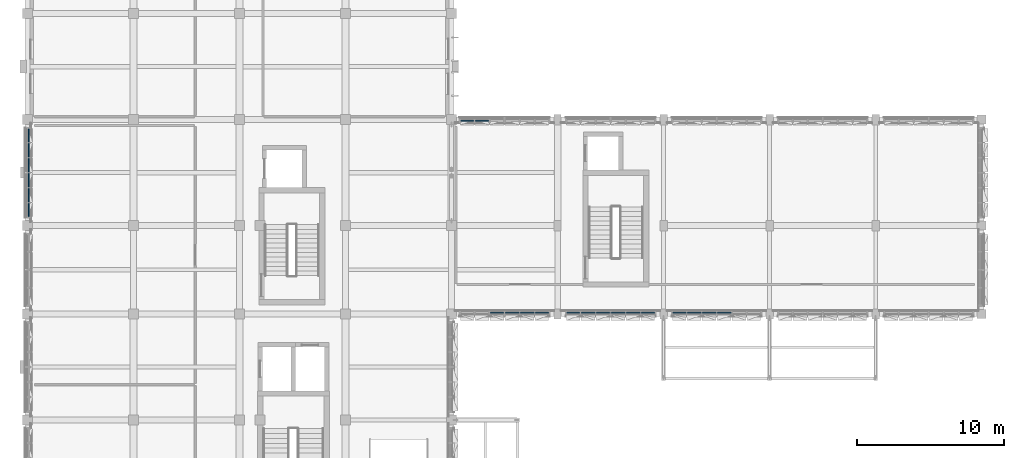
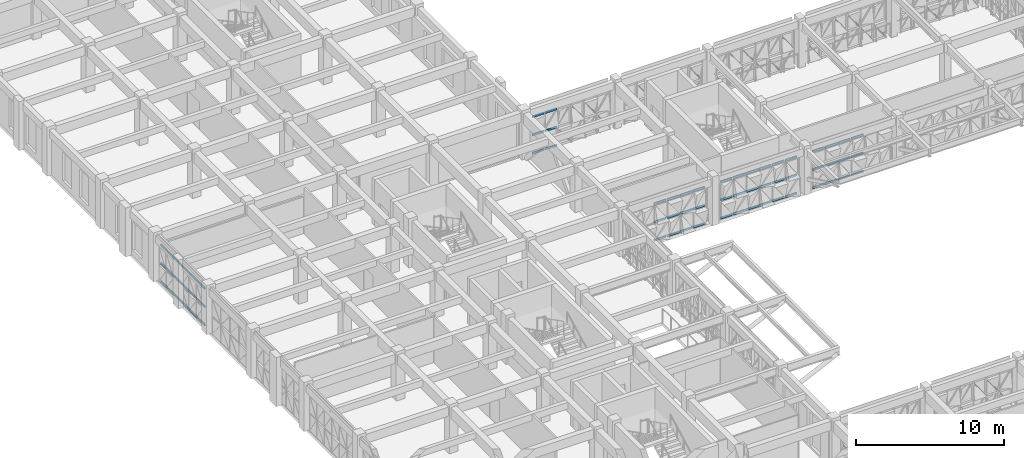
# One storey, part 24 of 88: 66 members, 5 elements without a shape of their own.
"""IFC4 building model written with IfcOpenShell, lengths in metres."""

from ifc_helpers import new_model, si_unit, direction, frame, origin, origin_2d, place, context, subcontext, project, spatial, rectangle, extrude, material, material_profile, profile_set, type_object, element, aggregate, save


model = new_model("IFC4")

# Units and contexts
model_context = context("Model", 3, precision=1e-05, world=origin(), true_north=direction((0.0, 1.0)))
body_context = subcontext(model_context, "Body", "Model", "MODEL_VIEW")
ifc_project = project(units=[si_unit("LENGTHUNIT", "METRE"), si_unit("AREAUNIT", "SQUARE_METRE"), si_unit("VOLUMEUNIT", "CUBIC_METRE"), si_unit("PLANEANGLEUNIT", "RADIAN"), si_unit("MASSUNIT", "GRAM", prefix="KILO")], contexts=[model_context])

# Site, building, storey
site_placement = place(None, origin())
site = spatial("IfcSite", under=ifc_project, at=site_placement, CompositionType="ELEMENT")
building_placement = place(site_placement, origin())
building = spatial("IfcBuilding", under=site, at=building_placement, Name="Alvorim Cloister Faculty of Sciences", CompositionType="ELEMENT")
storey_placement = place(building_placement, frame((0.0, 0.0, 4.5)))
storey = spatial("IfcBuildingStorey", under=building, at=storey_placement, Name="L01", CompositionType="ELEMENT", Elevation=4.5)

# Curtain wall, members
ifc_material_1 = material(Name="Aluminium and Low-E Glass Curtain Wall", Category="aluminium")
curtain_wall_type = type_object("IfcCurtainWallType", Name="CW-TRI-6120x3170", PredefinedType="USERDEFINED", material=ifc_material_1)
curtain_wall_1_placement = place(storey_placement, origin())
curtain_wall_1 = element("IfcCurtainWall", 1, at=curtain_wall_1_placement, inside=storey, type_object=curtain_wall_type, Name="L01 Diagonal Cassette Curtain Wall CW-0011", ObjectType="UNITISED CURTAIN WALL", PredefinedType="USERDEFINED")
ifc_material_2 = material(Name="Aluminium Alloy 6063-T6", Category="aluminium")
ifc_material_profile = material_profile(ifc_material_2, rectangle(XDim=0.074951171875, YDim=0.159912109375, at=origin_2d()), Name="ALU-TRN-75x160")
ifc_profile_set = profile_set([ifc_material_profile], Name="Aluminium Alloy 6063-T6")
member_type = type_object("IfcMemberType", Name="CW-TRN-75x160", PredefinedType="USERDEFINED", material=ifc_profile_set)
member_1_placement = place(storey_placement, frame((0.090087890625, 49.81494140625, 0.080078125), z_axis=(0.0, 1.0, 0.0), x_axis=(-1.0, 0.0, 0.0)))
member_1 = element("IfcMember", 2, at=member_1_placement, type_object=member_type, Name="CW-0011 Transom 1.1", ObjectType="TRANSOM", PredefinedType="USERDEFINED", context=body_context, shape_type="SweptSolid", body=[
    extrude(rectangle(XDim=0.074951171875, YDim=0.159912109375, at=origin_2d()), origin(), (0.0, 0.0, 1.0), 0.907470703125),
])
member_2_placement = place(storey_placement, frame((0.090087890625, 49.81494140625, 1.5849609375), z_axis=(0.0, 1.0, 0.0), x_axis=(-1.0, 0.0, 0.0)))
member_2 = element("IfcMember", 3, at=member_2_placement, type_object=member_type, Name="CW-0011 Transom 1.2", ObjectType="TRANSOM", PredefinedType="USERDEFINED", context=body_context, shape_type="SweptSolid", body=[
    extrude(rectangle(XDim=0.074951171875, YDim=0.159912109375, at=origin_2d()), origin(), (0.0, 0.0, 1.0), 0.907470703125),
])
member_3_placement = place(storey_placement, frame((0.090087890625, 49.81494140625, 3.090087890625), z_axis=(0.0, 1.0, 0.0), x_axis=(-1.0, 0.0, 0.0)))
member_3 = element("IfcMember", 4, at=member_3_placement, type_object=member_type, Name="CW-0011 Transom 1.3", ObjectType="TRANSOM", PredefinedType="USERDEFINED", context=body_context, shape_type="SweptSolid", body=[
    extrude(rectangle(XDim=0.074951171875, YDim=0.159912109375, at=origin_2d()), origin(), (0.0, 0.0, 1.0), 0.907470703125),
])
member_4_placement = place(storey_placement, frame((0.090087890625, 50.797607421875, 0.080078125), z_axis=(0.0, 1.0, 0.0), x_axis=(-1.0, 0.0, 0.0)))
member_4 = element("IfcMember", 5, at=member_4_placement, type_object=member_type, Name="CW-0011 Transom 2.1", ObjectType="TRANSOM", PredefinedType="USERDEFINED", context=body_context, shape_type="SweptSolid", body=[
    extrude(rectangle(XDim=0.074951171875, YDim=0.159912109375, at=origin_2d()), origin(), (0.0, 0.0, 1.0), 0.94482421875),
])
member_5_placement = place(storey_placement, frame((0.090087890625, 50.797607421875, 1.5849609375), z_axis=(0.0, 1.0, 0.0), x_axis=(-1.0, 0.0, 0.0)))
member_5 = element("IfcMember", 6, at=member_5_placement, type_object=member_type, Name="CW-0011 Transom 2.2", ObjectType="TRANSOM", PredefinedType="USERDEFINED", context=body_context, shape_type="SweptSolid", body=[
    extrude(rectangle(XDim=0.074951171875, YDim=0.159912109375, at=origin_2d()), origin(), (0.0, 0.0, 1.0), 0.94482421875),
])
member_6_placement = place(storey_placement, frame((0.090087890625, 50.797607421875, 3.090087890625), z_axis=(0.0, 1.0, 0.0), x_axis=(-1.0, 0.0, 0.0)))
member_6 = element("IfcMember", 7, at=member_6_placement, type_object=member_type, Name="CW-0011 Transom 2.3", ObjectType="TRANSOM", PredefinedType="USERDEFINED", context=body_context, shape_type="SweptSolid", body=[
    extrude(rectangle(XDim=0.074951171875, YDim=0.159912109375, at=origin_2d()), origin(), (0.0, 0.0, 1.0), 0.94482421875),
])
member_7_placement = place(storey_placement, frame((0.090087890625, 51.8173828125, 0.080078125), z_axis=(0.0, 1.0, 0.0), x_axis=(-1.0, 0.0, 0.0)))
member_7 = element("IfcMember", 8, at=member_7_placement, type_object=member_type, Name="CW-0011 Transom 3.1", ObjectType="TRANSOM", PredefinedType="USERDEFINED", context=body_context, shape_type="SweptSolid", body=[
    extrude(rectangle(XDim=0.074951171875, YDim=0.159912109375, at=origin_2d()), origin(), (0.0, 0.0, 1.0), 0.945068359375),
])
member_8_placement = place(storey_placement, frame((0.090087890625, 51.8173828125, 1.5849609375), z_axis=(0.0, 1.0, 0.0), x_axis=(-1.0, 0.0, 0.0)))
member_8 = element("IfcMember", 9, at=member_8_placement, type_object=member_type, Name="CW-0011 Transom 3.2", ObjectType="TRANSOM", PredefinedType="USERDEFINED", context=body_context, shape_type="SweptSolid", body=[
    extrude(rectangle(XDim=0.074951171875, YDim=0.159912109375, at=origin_2d()), origin(), (0.0, 0.0, 1.0), 0.945068359375),
])
member_9_placement = place(storey_placement, frame((0.090087890625, 51.8173828125, 3.090087890625), z_axis=(0.0, 1.0, 0.0), x_axis=(-1.0, 0.0, 0.0)))
member_9 = element("IfcMember", 10, at=member_9_placement, type_object=member_type, Name="CW-0011 Transom 3.3", ObjectType="TRANSOM", PredefinedType="USERDEFINED", context=body_context, shape_type="SweptSolid", body=[
    extrude(rectangle(XDim=0.074951171875, YDim=0.159912109375, at=origin_2d()), origin(), (0.0, 0.0, 1.0), 0.945068359375),
])
member_10_placement = place(storey_placement, frame((0.090087890625, 52.83740234375, 0.080078125), z_axis=(0.0, 1.0, 0.0), x_axis=(-1.0, 0.0, 0.0)))
member_10 = element("IfcMember", 11, at=member_10_placement, type_object=member_type, Name="CW-0011 Transom 4.1", ObjectType="TRANSOM", PredefinedType="USERDEFINED", context=body_context, shape_type="SweptSolid", body=[
    extrude(rectangle(XDim=0.074951171875, YDim=0.159912109375, at=origin_2d()), origin(), (0.0, 0.0, 1.0), 0.945068359375),
])
member_11_placement = place(storey_placement, frame((0.090087890625, 52.83740234375, 1.5849609375), z_axis=(0.0, 1.0, 0.0), x_axis=(-1.0, 0.0, 0.0)))
member_11 = element("IfcMember", 12, at=member_11_placement, type_object=member_type, Name="CW-0011 Transom 4.2", ObjectType="TRANSOM", PredefinedType="USERDEFINED", context=body_context, shape_type="SweptSolid", body=[
    extrude(rectangle(XDim=0.074951171875, YDim=0.159912109375, at=origin_2d()), origin(), (0.0, 0.0, 1.0), 0.945068359375),
])
member_12_placement = place(storey_placement, frame((0.090087890625, 52.83740234375, 3.090087890625), z_axis=(0.0, 1.0, 0.0), x_axis=(-1.0, 0.0, 0.0)))
member_12 = element("IfcMember", 13, at=member_12_placement, type_object=member_type, Name="CW-0011 Transom 4.3", ObjectType="TRANSOM", PredefinedType="USERDEFINED", context=body_context, shape_type="SweptSolid", body=[
    extrude(rectangle(XDim=0.074951171875, YDim=0.159912109375, at=origin_2d()), origin(), (0.0, 0.0, 1.0), 0.945068359375),
])
member_13_placement = place(storey_placement, frame((0.090087890625, 53.857421875, 0.080078125), z_axis=(0.0, 1.0, 0.0), x_axis=(-1.0, 0.0, 0.0)))
member_13 = element("IfcMember", 14, at=member_13_placement, type_object=member_type, Name="CW-0011 Transom 5.1", ObjectType="TRANSOM", PredefinedType="USERDEFINED", context=body_context, shape_type="SweptSolid", body=[
    extrude(rectangle(XDim=0.074951171875, YDim=0.159912109375, at=origin_2d()), origin(), (0.0, 0.0, 1.0), 0.945068359375),
])
member_14_placement = place(storey_placement, frame((0.090087890625, 53.857421875, 1.5849609375), z_axis=(0.0, 1.0, 0.0), x_axis=(-1.0, 0.0, 0.0)))
member_14 = element("IfcMember", 15, at=member_14_placement, type_object=member_type, Name="CW-0011 Transom 5.2", ObjectType="TRANSOM", PredefinedType="USERDEFINED", context=body_context, shape_type="SweptSolid", body=[
    extrude(rectangle(XDim=0.074951171875, YDim=0.159912109375, at=origin_2d()), origin(), (0.0, 0.0, 1.0), 0.945068359375),
])
member_15_placement = place(storey_placement, frame((0.090087890625, 53.857421875, 3.090087890625), z_axis=(0.0, 1.0, 0.0), x_axis=(-1.0, 0.0, 0.0)))
member_15 = element("IfcMember", 16, at=member_15_placement, type_object=member_type, Name="CW-0011 Transom 5.3", ObjectType="TRANSOM", PredefinedType="USERDEFINED", context=body_context, shape_type="SweptSolid", body=[
    extrude(rectangle(XDim=0.074951171875, YDim=0.159912109375, at=origin_2d()), origin(), (0.0, 0.0, 1.0), 0.945068359375),
])
member_16_placement = place(storey_placement, frame((0.090087890625, 54.87744140625, 0.080078125), z_axis=(0.0, 1.0, 0.0), x_axis=(-1.0, 0.0, 0.0)))
member_16 = element("IfcMember", 17, at=member_16_placement, type_object=member_type, Name="CW-0011 Transom 6.1", ObjectType="TRANSOM", PredefinedType="USERDEFINED", context=body_context, shape_type="SweptSolid", body=[
    extrude(rectangle(XDim=0.074951171875, YDim=0.159912109375, at=origin_2d()), origin(), (0.0, 0.0, 1.0), 0.907470703125),
])
member_17_placement = place(storey_placement, frame((0.090087890625, 54.87744140625, 1.5849609375), z_axis=(0.0, 1.0, 0.0), x_axis=(-1.0, 0.0, 0.0)))
member_17 = element("IfcMember", 18, at=member_17_placement, type_object=member_type, Name="CW-0011 Transom 6.2", ObjectType="TRANSOM", PredefinedType="USERDEFINED", context=body_context, shape_type="SweptSolid", body=[
    extrude(rectangle(XDim=0.074951171875, YDim=0.159912109375, at=origin_2d()), origin(), (0.0, 0.0, 1.0), 0.907470703125),
])
member_18_placement = place(storey_placement, frame((0.090087890625, 54.87744140625, 3.090087890625), z_axis=(0.0, 1.0, 0.0), x_axis=(-1.0, 0.0, 0.0)))
member_18 = element("IfcMember", 19, at=member_18_placement, type_object=member_type, Name="CW-0011 Transom 6.3", ObjectType="TRANSOM", PredefinedType="USERDEFINED", context=body_context, shape_type="SweptSolid", body=[
    extrude(rectangle(XDim=0.074951171875, YDim=0.159912109375, at=origin_2d()), origin(), (0.0, 0.0, 1.0), 0.907470703125),
])
aggregate(curtain_wall_1, [member_1, member_2, member_3, member_4, member_5, member_6, member_7, member_8, member_9, member_10, member_11, member_12, member_13, member_14, member_15, member_16, member_17, member_18])

curtain_wall_2_placement = place(storey_placement, origin())
curtain_wall_2 = element("IfcCurtainWall", 20, at=curtain_wall_2_placement, inside=storey, type_object=curtain_wall_type, Name="L01 Diagonal Cassette Curtain Wall CW-0012", ObjectType="UNITISED CURTAIN WALL", PredefinedType="USERDEFINED")
member_19_placement = place(storey_placement, frame((29.4150390625, 56.31005859375, 0.080078125), z_axis=(1.0, 0.0, 0.0), x_axis=(0.0, 1.0, 0.0)))
member_19 = element("IfcMember", 21, at=member_19_placement, type_object=member_type, Name="CW-0012 Transom 1.1", ObjectType="TRANSOM", PredefinedType="USERDEFINED", context=body_context, shape_type="SweptSolid", body=[
    extrude(rectangle(XDim=0.074951171875, YDim=0.159912109375, at=origin_2d()), origin(), (0.0, 0.0, 1.0), 0.907470703125),
])
member_20_placement = place(storey_placement, frame((29.4150390625, 56.31005859375, 1.5849609375), z_axis=(1.0, 0.0, 0.0), x_axis=(0.0, 1.0, 0.0)))
member_20 = element("IfcMember", 22, at=member_20_placement, type_object=member_type, Name="CW-0012 Transom 1.2", ObjectType="TRANSOM", PredefinedType="USERDEFINED", context=body_context, shape_type="SweptSolid", body=[
    extrude(rectangle(XDim=0.074951171875, YDim=0.159912109375, at=origin_2d()), origin(), (0.0, 0.0, 1.0), 0.907470703125),
])
member_21_placement = place(storey_placement, frame((29.4150390625, 56.31005859375, 3.090087890625), z_axis=(1.0, 0.0, 0.0), x_axis=(0.0, 1.0, 0.0)))
member_21 = element("IfcMember", 23, at=member_21_placement, type_object=member_type, Name="CW-0012 Transom 1.3", ObjectType="TRANSOM", PredefinedType="USERDEFINED", context=body_context, shape_type="SweptSolid", body=[
    extrude(rectangle(XDim=0.074951171875, YDim=0.159912109375, at=origin_2d()), origin(), (0.0, 0.0, 1.0), 0.907470703125),
])
member_22_placement = place(storey_placement, frame((30.3974609375, 56.31005859375, 0.080078125), z_axis=(1.0, 0.0, 0.0), x_axis=(0.0, 1.0, 0.0)))
member_22 = element("IfcMember", 24, at=member_22_placement, type_object=member_type, Name="CW-0012 Transom 2.1", ObjectType="TRANSOM", PredefinedType="USERDEFINED", context=body_context, shape_type="SweptSolid", body=[
    extrude(rectangle(XDim=0.074951171875, YDim=0.159912109375, at=origin_2d()), origin(), (0.0, 0.0, 1.0), 0.945068359375),
])
member_23_placement = place(storey_placement, frame((30.3974609375, 56.31005859375, 1.5849609375), z_axis=(1.0, 0.0, 0.0), x_axis=(0.0, 1.0, 0.0)))
member_23 = element("IfcMember", 25, at=member_23_placement, type_object=member_type, Name="CW-0012 Transom 2.2", ObjectType="TRANSOM", PredefinedType="USERDEFINED", context=body_context, shape_type="SweptSolid", body=[
    extrude(rectangle(XDim=0.074951171875, YDim=0.159912109375, at=origin_2d()), origin(), (0.0, 0.0, 1.0), 0.945068359375),
])
member_24_placement = place(storey_placement, frame((30.3974609375, 56.31005859375, 3.090087890625), z_axis=(1.0, 0.0, 0.0), x_axis=(0.0, 1.0, 0.0)))
member_24 = element("IfcMember", 26, at=member_24_placement, type_object=member_type, Name="CW-0012 Transom 2.3", ObjectType="TRANSOM", PredefinedType="USERDEFINED", context=body_context, shape_type="SweptSolid", body=[
    extrude(rectangle(XDim=0.074951171875, YDim=0.159912109375, at=origin_2d()), origin(), (0.0, 0.0, 1.0), 0.945068359375),
])
aggregate(curtain_wall_2, [member_19, member_20, member_21, member_22, member_23, member_24])

curtain_wall_3_placement = place(storey_placement, origin())
curtain_wall_3 = element("IfcCurtainWall", 27, at=curtain_wall_3_placement, inside=storey, type_object=curtain_wall_type, Name="L01 Diagonal Cassette Curtain Wall CW-0021", ObjectType="UNITISED CURTAIN WALL", PredefinedType="USERDEFINED")
member_25_placement = place(storey_placement, frame((43.81494140625, 43.2900390625, 0.080078125), z_axis=(1.0, 0.0, 0.0), x_axis=(0.0, 1.0, 0.0)))
member_25 = element("IfcMember", 28, at=member_25_placement, type_object=member_type, Name="CW-0021 Transom 1.1", ObjectType="TRANSOM", PredefinedType="USERDEFINED", context=body_context, shape_type="SweptSolid", body=[
    extrude(rectangle(XDim=0.074951171875, YDim=0.159912109375, at=origin_2d()), origin(), (0.0, 0.0, 1.0), 0.907470703125),
])
member_26_placement = place(storey_placement, frame((43.81494140625, 43.2900390625, 1.5849609375), z_axis=(1.0, 0.0, 0.0), x_axis=(0.0, 1.0, 0.0)))
member_26 = element("IfcMember", 29, at=member_26_placement, type_object=member_type, Name="CW-0021 Transom 1.2", ObjectType="TRANSOM", PredefinedType="USERDEFINED", context=body_context, shape_type="SweptSolid", body=[
    extrude(rectangle(XDim=0.074951171875, YDim=0.159912109375, at=origin_2d()), origin(), (0.0, 0.0, 1.0), 0.907470703125),
])
member_27_placement = place(storey_placement, frame((43.81494140625, 43.2900390625, 3.090087890625), z_axis=(1.0, 0.0, 0.0), x_axis=(0.0, 1.0, 0.0)))
member_27 = element("IfcMember", 30, at=member_27_placement, type_object=member_type, Name="CW-0021 Transom 1.3", ObjectType="TRANSOM", PredefinedType="USERDEFINED", context=body_context, shape_type="SweptSolid", body=[
    extrude(rectangle(XDim=0.074951171875, YDim=0.159912109375, at=origin_2d()), origin(), (0.0, 0.0, 1.0), 0.907470703125),
])
member_28_placement = place(storey_placement, frame((44.797607421875, 43.2900390625, 0.080078125), z_axis=(1.0, 0.0, 0.0), x_axis=(0.0, 1.0, 0.0)))
member_28 = element("IfcMember", 31, at=member_28_placement, type_object=member_type, Name="CW-0021 Transom 2.1", ObjectType="TRANSOM", PredefinedType="USERDEFINED", context=body_context, shape_type="SweptSolid", body=[
    extrude(rectangle(XDim=0.074951171875, YDim=0.159912109375, at=origin_2d()), origin(), (0.0, 0.0, 1.0), 0.94482421875),
])
member_29_placement = place(storey_placement, frame((44.797607421875, 43.2900390625, 1.5849609375), z_axis=(1.0, 0.0, 0.0), x_axis=(0.0, 1.0, 0.0)))
member_29 = element("IfcMember", 32, at=member_29_placement, type_object=member_type, Name="CW-0021 Transom 2.2", ObjectType="TRANSOM", PredefinedType="USERDEFINED", context=body_context, shape_type="SweptSolid", body=[
    extrude(rectangle(XDim=0.074951171875, YDim=0.159912109375, at=origin_2d()), origin(), (0.0, 0.0, 1.0), 0.94482421875),
])
member_30_placement = place(storey_placement, frame((44.797607421875, 43.2900390625, 3.090087890625), z_axis=(1.0, 0.0, 0.0), x_axis=(0.0, 1.0, 0.0)))
member_30 = element("IfcMember", 33, at=member_30_placement, type_object=member_type, Name="CW-0021 Transom 2.3", ObjectType="TRANSOM", PredefinedType="USERDEFINED", context=body_context, shape_type="SweptSolid", body=[
    extrude(rectangle(XDim=0.074951171875, YDim=0.159912109375, at=origin_2d()), origin(), (0.0, 0.0, 1.0), 0.94482421875),
])
member_31_placement = place(storey_placement, frame((45.8173828125, 43.2900390625, 0.080078125), z_axis=(1.0, 0.0, 0.0), x_axis=(0.0, 1.0, 0.0)))
member_31 = element("IfcMember", 34, at=member_31_placement, type_object=member_type, Name="CW-0021 Transom 3.1", ObjectType="TRANSOM", PredefinedType="USERDEFINED", context=body_context, shape_type="SweptSolid", body=[
    extrude(rectangle(XDim=0.074951171875, YDim=0.159912109375, at=origin_2d()), origin(), (0.0, 0.0, 1.0), 0.945068359375),
])
member_32_placement = place(storey_placement, frame((45.8173828125, 43.2900390625, 1.5849609375), z_axis=(1.0, 0.0, 0.0), x_axis=(0.0, 1.0, 0.0)))
member_32 = element("IfcMember", 35, at=member_32_placement, type_object=member_type, Name="CW-0021 Transom 3.2", ObjectType="TRANSOM", PredefinedType="USERDEFINED", context=body_context, shape_type="SweptSolid", body=[
    extrude(rectangle(XDim=0.074951171875, YDim=0.159912109375, at=origin_2d()), origin(), (0.0, 0.0, 1.0), 0.945068359375),
])
member_33_placement = place(storey_placement, frame((45.8173828125, 43.2900390625, 3.090087890625), z_axis=(1.0, 0.0, 0.0), x_axis=(0.0, 1.0, 0.0)))
member_33 = element("IfcMember", 36, at=member_33_placement, type_object=member_type, Name="CW-0021 Transom 3.3", ObjectType="TRANSOM", PredefinedType="USERDEFINED", context=body_context, shape_type="SweptSolid", body=[
    extrude(rectangle(XDim=0.074951171875, YDim=0.159912109375, at=origin_2d()), origin(), (0.0, 0.0, 1.0), 0.945068359375),
])
member_34_placement = place(storey_placement, frame((46.83740234375, 43.2900390625, 0.080078125), z_axis=(1.0, 0.0, 0.0), x_axis=(0.0, 1.0, 0.0)))
member_34 = element("IfcMember", 37, at=member_34_placement, type_object=member_type, Name="CW-0021 Transom 4.1", ObjectType="TRANSOM", PredefinedType="USERDEFINED", context=body_context, shape_type="SweptSolid", body=[
    extrude(rectangle(XDim=0.074951171875, YDim=0.159912109375, at=origin_2d()), origin(), (0.0, 0.0, 1.0), 0.945068359375),
])
member_35_placement = place(storey_placement, frame((46.83740234375, 43.2900390625, 1.5849609375), z_axis=(1.0, 0.0, 0.0), x_axis=(0.0, 1.0, 0.0)))
member_35 = element("IfcMember", 38, at=member_35_placement, type_object=member_type, Name="CW-0021 Transom 4.2", ObjectType="TRANSOM", PredefinedType="USERDEFINED", context=body_context, shape_type="SweptSolid", body=[
    extrude(rectangle(XDim=0.074951171875, YDim=0.159912109375, at=origin_2d()), origin(), (0.0, 0.0, 1.0), 0.945068359375),
])
member_36_placement = place(storey_placement, frame((46.83740234375, 43.2900390625, 3.090087890625), z_axis=(1.0, 0.0, 0.0), x_axis=(0.0, 1.0, 0.0)))
member_36 = element("IfcMember", 39, at=member_36_placement, type_object=member_type, Name="CW-0021 Transom 4.3", ObjectType="TRANSOM", PredefinedType="USERDEFINED", context=body_context, shape_type="SweptSolid", body=[
    extrude(rectangle(XDim=0.074951171875, YDim=0.159912109375, at=origin_2d()), origin(), (0.0, 0.0, 1.0), 0.945068359375),
])
aggregate(curtain_wall_3, [member_25, member_26, member_27, member_28, member_29, member_30, member_31, member_32, member_33, member_34, member_35, member_36])

curtain_wall_4_placement = place(storey_placement, origin())
curtain_wall_4 = element("IfcCurtainWall", 40, at=curtain_wall_4_placement, inside=storey, type_object=curtain_wall_type, Name="L01 Diagonal Cassette Curtain Wall CW-0022", ObjectType="UNITISED CURTAIN WALL", PredefinedType="USERDEFINED")
member_37_placement = place(storey_placement, frame((36.614990234375, 43.2900390625, 0.080078125), z_axis=(1.0, 0.0, 0.0), x_axis=(0.0, 1.0, 0.0)))
member_37 = element("IfcMember", 41, at=member_37_placement, type_object=member_type, Name="CW-0022 Transom 1.1", ObjectType="TRANSOM", PredefinedType="USERDEFINED", context=body_context, shape_type="SweptSolid", body=[
    extrude(rectangle(XDim=0.074951171875, YDim=0.159912109375, at=origin_2d()), origin(), (0.0, 0.0, 1.0), 0.907470703125),
])
member_38_placement = place(storey_placement, frame((36.614990234375, 43.2900390625, 1.5849609375), z_axis=(1.0, 0.0, 0.0), x_axis=(0.0, 1.0, 0.0)))
member_38 = element("IfcMember", 42, at=member_38_placement, type_object=member_type, Name="CW-0022 Transom 1.2", ObjectType="TRANSOM", PredefinedType="USERDEFINED", context=body_context, shape_type="SweptSolid", body=[
    extrude(rectangle(XDim=0.074951171875, YDim=0.159912109375, at=origin_2d()), origin(), (0.0, 0.0, 1.0), 0.907470703125),
])
member_39_placement = place(storey_placement, frame((36.614990234375, 43.2900390625, 3.090087890625), z_axis=(1.0, 0.0, 0.0), x_axis=(0.0, 1.0, 0.0)))
member_39 = element("IfcMember", 43, at=member_39_placement, type_object=member_type, Name="CW-0022 Transom 1.3", ObjectType="TRANSOM", PredefinedType="USERDEFINED", context=body_context, shape_type="SweptSolid", body=[
    extrude(rectangle(XDim=0.074951171875, YDim=0.159912109375, at=origin_2d()), origin(), (0.0, 0.0, 1.0), 0.907470703125),
])
member_40_placement = place(storey_placement, frame((37.597412109375, 43.2900390625, 0.080078125), z_axis=(1.0, 0.0, 0.0), x_axis=(0.0, 1.0, 0.0)))
member_40 = element("IfcMember", 44, at=member_40_placement, type_object=member_type, Name="CW-0022 Transom 2.1", ObjectType="TRANSOM", PredefinedType="USERDEFINED", context=body_context, shape_type="SweptSolid", body=[
    extrude(rectangle(XDim=0.074951171875, YDim=0.159912109375, at=origin_2d()), origin(), (0.0, 0.0, 1.0), 0.945068359375),
])
member_41_placement = place(storey_placement, frame((37.597412109375, 43.2900390625, 1.5849609375), z_axis=(1.0, 0.0, 0.0), x_axis=(0.0, 1.0, 0.0)))
member_41 = element("IfcMember", 45, at=member_41_placement, type_object=member_type, Name="CW-0022 Transom 2.2", ObjectType="TRANSOM", PredefinedType="USERDEFINED", context=body_context, shape_type="SweptSolid", body=[
    extrude(rectangle(XDim=0.074951171875, YDim=0.159912109375, at=origin_2d()), origin(), (0.0, 0.0, 1.0), 0.945068359375),
])
member_42_placement = place(storey_placement, frame((37.597412109375, 43.2900390625, 3.090087890625), z_axis=(1.0, 0.0, 0.0), x_axis=(0.0, 1.0, 0.0)))
member_42 = element("IfcMember", 46, at=member_42_placement, type_object=member_type, Name="CW-0022 Transom 2.3", ObjectType="TRANSOM", PredefinedType="USERDEFINED", context=body_context, shape_type="SweptSolid", body=[
    extrude(rectangle(XDim=0.074951171875, YDim=0.159912109375, at=origin_2d()), origin(), (0.0, 0.0, 1.0), 0.945068359375),
])
member_43_placement = place(storey_placement, frame((38.617431640625, 43.2900390625, 0.080078125), z_axis=(1.0, 0.0, 0.0), x_axis=(0.0, 1.0, 0.0)))
member_43 = element("IfcMember", 47, at=member_43_placement, type_object=member_type, Name="CW-0022 Transom 3.1", ObjectType="TRANSOM", PredefinedType="USERDEFINED", context=body_context, shape_type="SweptSolid", body=[
    extrude(rectangle(XDim=0.074951171875, YDim=0.159912109375, at=origin_2d()), origin(), (0.0, 0.0, 1.0), 0.945068359375),
])
member_44_placement = place(storey_placement, frame((38.617431640625, 43.2900390625, 1.5849609375), z_axis=(1.0, 0.0, 0.0), x_axis=(0.0, 1.0, 0.0)))
member_44 = element("IfcMember", 48, at=member_44_placement, type_object=member_type, Name="CW-0022 Transom 3.2", ObjectType="TRANSOM", PredefinedType="USERDEFINED", context=body_context, shape_type="SweptSolid", body=[
    extrude(rectangle(XDim=0.074951171875, YDim=0.159912109375, at=origin_2d()), origin(), (0.0, 0.0, 1.0), 0.945068359375),
])
member_45_placement = place(storey_placement, frame((38.617431640625, 43.2900390625, 3.090087890625), z_axis=(1.0, 0.0, 0.0), x_axis=(0.0, 1.0, 0.0)))
member_45 = element("IfcMember", 49, at=member_45_placement, type_object=member_type, Name="CW-0022 Transom 3.3", ObjectType="TRANSOM", PredefinedType="USERDEFINED", context=body_context, shape_type="SweptSolid", body=[
    extrude(rectangle(XDim=0.074951171875, YDim=0.159912109375, at=origin_2d()), origin(), (0.0, 0.0, 1.0), 0.945068359375),
])
member_46_placement = place(storey_placement, frame((39.637451171875, 43.2900390625, 0.080078125), z_axis=(1.0, 0.0, 0.0), x_axis=(0.0, 1.0, 0.0)))
member_46 = element("IfcMember", 50, at=member_46_placement, type_object=member_type, Name="CW-0022 Transom 4.1", ObjectType="TRANSOM", PredefinedType="USERDEFINED", context=body_context, shape_type="SweptSolid", body=[
    extrude(rectangle(XDim=0.074951171875, YDim=0.159912109375, at=origin_2d()), origin(), (0.0, 0.0, 1.0), 0.945068359375),
])
member_47_placement = place(storey_placement, frame((39.637451171875, 43.2900390625, 1.5849609375), z_axis=(1.0, 0.0, 0.0), x_axis=(0.0, 1.0, 0.0)))
member_47 = element("IfcMember", 51, at=member_47_placement, type_object=member_type, Name="CW-0022 Transom 4.2", ObjectType="TRANSOM", PredefinedType="USERDEFINED", context=body_context, shape_type="SweptSolid", body=[
    extrude(rectangle(XDim=0.074951171875, YDim=0.159912109375, at=origin_2d()), origin(), (0.0, 0.0, 1.0), 0.945068359375),
])
member_48_placement = place(storey_placement, frame((39.637451171875, 43.2900390625, 3.090087890625), z_axis=(1.0, 0.0, 0.0), x_axis=(0.0, 1.0, 0.0)))
member_48 = element("IfcMember", 52, at=member_48_placement, type_object=member_type, Name="CW-0022 Transom 4.3", ObjectType="TRANSOM", PredefinedType="USERDEFINED", context=body_context, shape_type="SweptSolid", body=[
    extrude(rectangle(XDim=0.074951171875, YDim=0.159912109375, at=origin_2d()), origin(), (0.0, 0.0, 1.0), 0.945068359375),
])
member_49_placement = place(storey_placement, frame((40.657470703125, 43.2900390625, 0.080078125), z_axis=(1.0, 0.0, 0.0), x_axis=(0.0, 1.0, 0.0)))
member_49 = element("IfcMember", 53, at=member_49_placement, type_object=member_type, Name="CW-0022 Transom 5.1", ObjectType="TRANSOM", PredefinedType="USERDEFINED", context=body_context, shape_type="SweptSolid", body=[
    extrude(rectangle(XDim=0.074951171875, YDim=0.159912109375, at=origin_2d()), origin(), (0.0, 0.0, 1.0), 0.945068359375),
])
member_50_placement = place(storey_placement, frame((40.657470703125, 43.2900390625, 1.5849609375), z_axis=(1.0, 0.0, 0.0), x_axis=(0.0, 1.0, 0.0)))
member_50 = element("IfcMember", 54, at=member_50_placement, type_object=member_type, Name="CW-0022 Transom 5.2", ObjectType="TRANSOM", PredefinedType="USERDEFINED", context=body_context, shape_type="SweptSolid", body=[
    extrude(rectangle(XDim=0.074951171875, YDim=0.159912109375, at=origin_2d()), origin(), (0.0, 0.0, 1.0), 0.945068359375),
])
member_51_placement = place(storey_placement, frame((40.657470703125, 43.2900390625, 3.090087890625), z_axis=(1.0, 0.0, 0.0), x_axis=(0.0, 1.0, 0.0)))
member_51 = element("IfcMember", 55, at=member_51_placement, type_object=member_type, Name="CW-0022 Transom 5.3", ObjectType="TRANSOM", PredefinedType="USERDEFINED", context=body_context, shape_type="SweptSolid", body=[
    extrude(rectangle(XDim=0.074951171875, YDim=0.159912109375, at=origin_2d()), origin(), (0.0, 0.0, 1.0), 0.945068359375),
])
member_52_placement = place(storey_placement, frame((41.677490234375, 43.2900390625, 0.080078125), z_axis=(1.0, 0.0, 0.0), x_axis=(0.0, 1.0, 0.0)))
member_52 = element("IfcMember", 56, at=member_52_placement, type_object=member_type, Name="CW-0022 Transom 6.1", ObjectType="TRANSOM", PredefinedType="USERDEFINED", context=body_context, shape_type="SweptSolid", body=[
    extrude(rectangle(XDim=0.074951171875, YDim=0.159912109375, at=origin_2d()), origin(), (0.0, 0.0, 1.0), 0.907470703125),
])
member_53_placement = place(storey_placement, frame((41.677490234375, 43.2900390625, 1.5849609375), z_axis=(1.0, 0.0, 0.0), x_axis=(0.0, 1.0, 0.0)))
member_53 = element("IfcMember", 57, at=member_53_placement, type_object=member_type, Name="CW-0022 Transom 6.2", ObjectType="TRANSOM", PredefinedType="USERDEFINED", context=body_context, shape_type="SweptSolid", body=[
    extrude(rectangle(XDim=0.074951171875, YDim=0.159912109375, at=origin_2d()), origin(), (0.0, 0.0, 1.0), 0.907470703125),
])
member_54_placement = place(storey_placement, frame((41.677490234375, 43.2900390625, 3.090087890625), z_axis=(1.0, 0.0, 0.0), x_axis=(0.0, 1.0, 0.0)))
member_54 = element("IfcMember", 58, at=member_54_placement, type_object=member_type, Name="CW-0022 Transom 6.3", ObjectType="TRANSOM", PredefinedType="USERDEFINED", context=body_context, shape_type="SweptSolid", body=[
    extrude(rectangle(XDim=0.074951171875, YDim=0.159912109375, at=origin_2d()), origin(), (0.0, 0.0, 1.0), 0.907470703125),
])
aggregate(curtain_wall_4, [member_37, member_38, member_39, member_40, member_41, member_42, member_43, member_44, member_45, member_46, member_47, member_48, member_49, member_50, member_51, member_52, member_53, member_54])

curtain_wall_5_placement = place(storey_placement, origin())
curtain_wall_5 = element("IfcCurtainWall", 59, at=curtain_wall_5_placement, inside=storey, type_object=curtain_wall_type, Name="L01 Diagonal Cassette Curtain Wall CW-0023", ObjectType="UNITISED CURTAIN WALL", PredefinedType="USERDEFINED")
member_55_placement = place(storey_placement, frame((31.41748046875, 43.2900390625, 0.080078125), z_axis=(1.0, 0.0, 0.0), x_axis=(0.0, 1.0, 0.0)))
member_55 = element("IfcMember", 60, at=member_55_placement, type_object=member_type, Name="CW-0023 Transom 3.1", ObjectType="TRANSOM", PredefinedType="USERDEFINED", context=body_context, shape_type="SweptSolid", body=[
    extrude(rectangle(XDim=0.074951171875, YDim=0.159912109375, at=origin_2d()), origin(), (0.0, 0.0, 1.0), 0.945068359375),
])
member_56_placement = place(storey_placement, frame((31.41748046875, 43.2900390625, 1.5849609375), z_axis=(1.0, 0.0, 0.0), x_axis=(0.0, 1.0, 0.0)))
member_56 = element("IfcMember", 61, at=member_56_placement, type_object=member_type, Name="CW-0023 Transom 3.2", ObjectType="TRANSOM", PredefinedType="USERDEFINED", context=body_context, shape_type="SweptSolid", body=[
    extrude(rectangle(XDim=0.074951171875, YDim=0.159912109375, at=origin_2d()), origin(), (0.0, 0.0, 1.0), 0.945068359375),
])
member_57_placement = place(storey_placement, frame((31.41748046875, 43.2900390625, 3.090087890625), z_axis=(1.0, 0.0, 0.0), x_axis=(0.0, 1.0, 0.0)))
member_57 = element("IfcMember", 62, at=member_57_placement, type_object=member_type, Name="CW-0023 Transom 3.3", ObjectType="TRANSOM", PredefinedType="USERDEFINED", context=body_context, shape_type="SweptSolid", body=[
    extrude(rectangle(XDim=0.074951171875, YDim=0.159912109375, at=origin_2d()), origin(), (0.0, 0.0, 1.0), 0.945068359375),
])
member_58_placement = place(storey_placement, frame((32.4375, 43.2900390625, 0.080078125), z_axis=(1.0, 0.0, 0.0), x_axis=(0.0, 1.0, 0.0)))
member_58 = element("IfcMember", 63, at=member_58_placement, type_object=member_type, Name="CW-0023 Transom 4.1", ObjectType="TRANSOM", PredefinedType="USERDEFINED", context=body_context, shape_type="SweptSolid", body=[
    extrude(rectangle(XDim=0.074951171875, YDim=0.159912109375, at=origin_2d()), origin(), (0.0, 0.0, 1.0), 0.945068359375),
])
member_59_placement = place(storey_placement, frame((32.4375, 43.2900390625, 1.5849609375), z_axis=(1.0, 0.0, 0.0), x_axis=(0.0, 1.0, 0.0)))
member_59 = element("IfcMember", 64, at=member_59_placement, type_object=member_type, Name="CW-0023 Transom 4.2", ObjectType="TRANSOM", PredefinedType="USERDEFINED", context=body_context, shape_type="SweptSolid", body=[
    extrude(rectangle(XDim=0.074951171875, YDim=0.159912109375, at=origin_2d()), origin(), (0.0, 0.0, 1.0), 0.945068359375),
])
member_60_placement = place(storey_placement, frame((32.4375, 43.2900390625, 3.090087890625), z_axis=(1.0, 0.0, 0.0), x_axis=(0.0, 1.0, 0.0)))
member_60 = element("IfcMember", 65, at=member_60_placement, type_object=member_type, Name="CW-0023 Transom 4.3", ObjectType="TRANSOM", PredefinedType="USERDEFINED", context=body_context, shape_type="SweptSolid", body=[
    extrude(rectangle(XDim=0.074951171875, YDim=0.159912109375, at=origin_2d()), origin(), (0.0, 0.0, 1.0), 0.945068359375),
])
member_61_placement = place(storey_placement, frame((33.45751953125, 43.2900390625, 0.080078125), z_axis=(1.0, 0.0, 0.0), x_axis=(0.0, 1.0, 0.0)))
member_61 = element("IfcMember", 66, at=member_61_placement, type_object=member_type, Name="CW-0023 Transom 5.1", ObjectType="TRANSOM", PredefinedType="USERDEFINED", context=body_context, shape_type="SweptSolid", body=[
    extrude(rectangle(XDim=0.074951171875, YDim=0.159912109375, at=origin_2d()), origin(), (0.0, 0.0, 1.0), 0.945068359375),
])
member_62_placement = place(storey_placement, frame((33.45751953125, 43.2900390625, 1.5849609375), z_axis=(1.0, 0.0, 0.0), x_axis=(0.0, 1.0, 0.0)))
member_62 = element("IfcMember", 67, at=member_62_placement, type_object=member_type, Name="CW-0023 Transom 5.2", ObjectType="TRANSOM", PredefinedType="USERDEFINED", context=body_context, shape_type="SweptSolid", body=[
    extrude(rectangle(XDim=0.074951171875, YDim=0.159912109375, at=origin_2d()), origin(), (0.0, 0.0, 1.0), 0.945068359375),
])
member_63_placement = place(storey_placement, frame((33.45751953125, 43.2900390625, 3.090087890625), z_axis=(1.0, 0.0, 0.0), x_axis=(0.0, 1.0, 0.0)))
member_63 = element("IfcMember", 68, at=member_63_placement, type_object=member_type, Name="CW-0023 Transom 5.3", ObjectType="TRANSOM", PredefinedType="USERDEFINED", context=body_context, shape_type="SweptSolid", body=[
    extrude(rectangle(XDim=0.074951171875, YDim=0.159912109375, at=origin_2d()), origin(), (0.0, 0.0, 1.0), 0.945068359375),
])
member_64_placement = place(storey_placement, frame((34.4775390625, 43.2900390625, 0.080078125), z_axis=(1.0, 0.0, 0.0), x_axis=(0.0, 1.0, 0.0)))
member_64 = element("IfcMember", 69, at=member_64_placement, type_object=member_type, Name="CW-0023 Transom 6.1", ObjectType="TRANSOM", PredefinedType="USERDEFINED", context=body_context, shape_type="SweptSolid", body=[
    extrude(rectangle(XDim=0.074951171875, YDim=0.159912109375, at=origin_2d()), origin(), (0.0, 0.0, 1.0), 0.907470703125),
])
member_65_placement = place(storey_placement, frame((34.4775390625, 43.2900390625, 1.5849609375), z_axis=(1.0, 0.0, 0.0), x_axis=(0.0, 1.0, 0.0)))
member_65 = element("IfcMember", 70, at=member_65_placement, type_object=member_type, Name="CW-0023 Transom 6.2", ObjectType="TRANSOM", PredefinedType="USERDEFINED", context=body_context, shape_type="SweptSolid", body=[
    extrude(rectangle(XDim=0.074951171875, YDim=0.159912109375, at=origin_2d()), origin(), (0.0, 0.0, 1.0), 0.907470703125),
])
member_66_placement = place(storey_placement, frame((34.4775390625, 43.2900390625, 3.090087890625), z_axis=(1.0, 0.0, 0.0), x_axis=(0.0, 1.0, 0.0)))
member_66 = element("IfcMember", 71, at=member_66_placement, type_object=member_type, Name="CW-0023 Transom 6.3", ObjectType="TRANSOM", PredefinedType="USERDEFINED", context=body_context, shape_type="SweptSolid", body=[
    extrude(rectangle(XDim=0.074951171875, YDim=0.159912109375, at=origin_2d()), origin(), (0.0, 0.0, 1.0), 0.907470703125),
])
aggregate(curtain_wall_5, [member_55, member_56, member_57, member_58, member_59, member_60, member_61, member_62, member_63, member_64, member_65, member_66])

save(model, "model.ifc")
